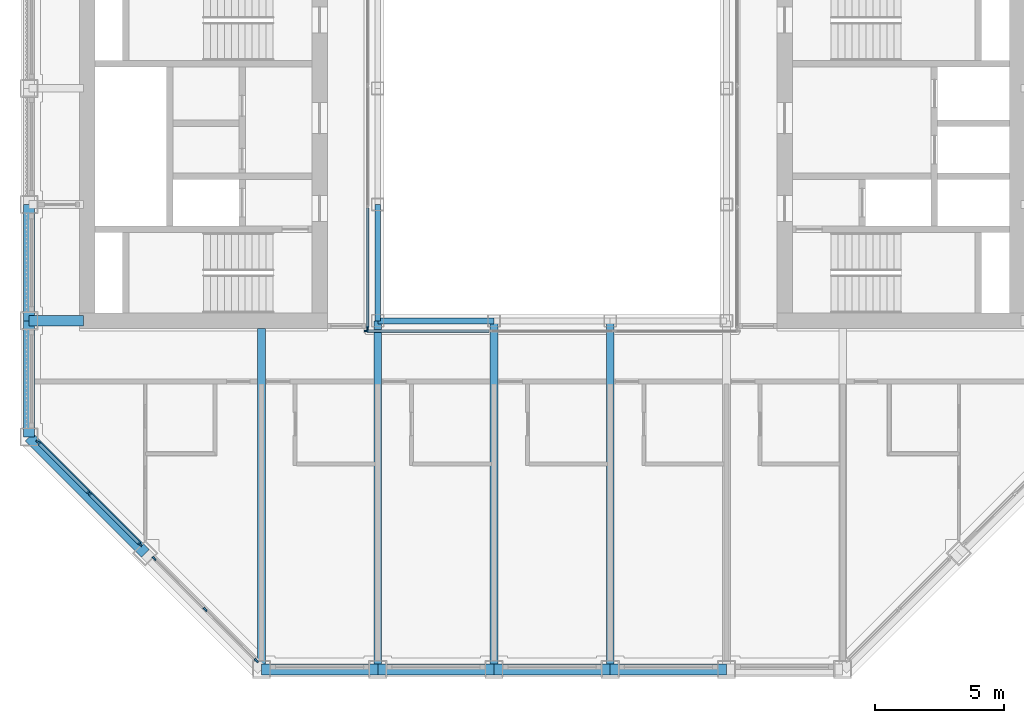
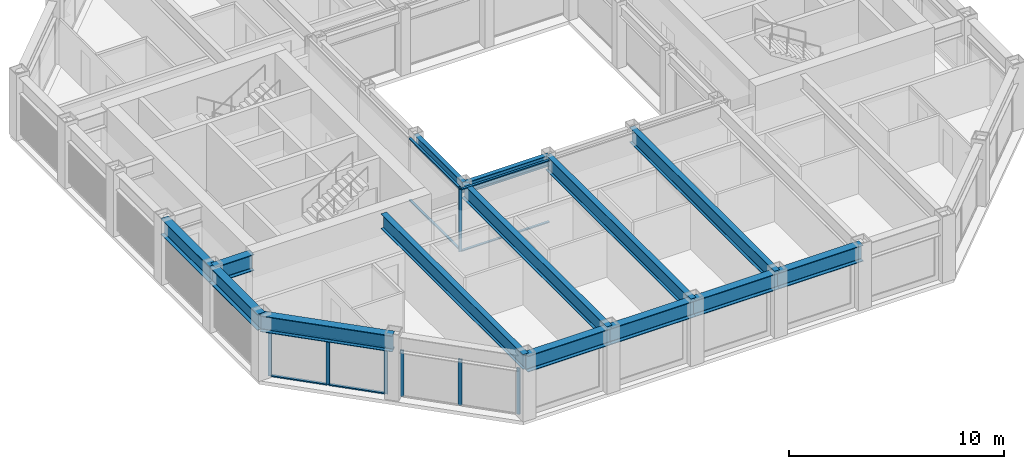
# One storey, part 2 of 18: 16 members, 14 beams, 4 elements without a shape of their own.
"""IFC4 building model written with IfcOpenShell, lengths in metres."""

from ifc_helpers import new_model, si_unit, direction, frame, origin, origin_2d, place, context, subcontext, project, spatial, rectangle, i_section, extrude, material, material_profile, profile_set, type_object, element, aggregate, save


model = new_model("IFC4")

# Units and contexts
model_context = context("Model", 3, precision=1e-05, world=origin(), true_north=direction((0.0, 1.0)))
body_context = subcontext(model_context, "Body", "Model", "MODEL_VIEW")
ifc_project = project(units=[si_unit("LENGTHUNIT", "METRE"), si_unit("AREAUNIT", "SQUARE_METRE"), si_unit("VOLUMEUNIT", "CUBIC_METRE"), si_unit("PLANEANGLEUNIT", "RADIAN"), si_unit("MASSUNIT", "GRAM", prefix="KILO")], contexts=[model_context])

# Site, building, storey
site_placement = place(None, origin())
site = spatial("IfcSite", under=ifc_project, at=site_placement, CompositionType="ELEMENT")
building_placement = place(site_placement, origin())
building = spatial("IfcBuilding", under=site, at=building_placement, Name="Msasa Ring Tower", CompositionType="ELEMENT")
storey_placement = place(building_placement, frame((0.0, 0.0, 204.550048828125)))
storey = spatial("IfcBuildingStorey", under=building, at=storey_placement, Name="L53", CompositionType="ELEMENT", Elevation=204.550048828125)

# Curtain wall, members
ifc_material_1 = material(Name="Aluminium curtain wall with clear glass", Category="aluminium")
curtain_wall_type_1 = type_object("IfcCurtainWallType", Name="CW-C CHAMFER CORNER CURTAIN WALL", PredefinedType="NOTDEFINED", material=ifc_material_1)
curtain_wall_1_placement = place(storey_placement, origin())
curtain_wall_1 = element("IfcCurtainWall", 1, at=curtain_wall_1_placement, inside=storey, type_object=curtain_wall_type_1, Name="Chamfer corner curtain wall SW L53", PredefinedType="NOTDEFINED")
ifc_material_2 = material(Name="Aluminium mullion", Category="aluminium")
ifc_material_profile_1 = material_profile(ifc_material_2, rectangle(XDim=0.06494140625, YDim=0.179931640625, at=origin_2d()), Name="AL 65x180")
ifc_profile_set_1 = profile_set([ifc_material_profile_1], Name="Aluminium mullion")
member_type_1 = type_object("IfcMemberType", Name="CW-C MULLION 65x180", PredefinedType="MULLION", material=ifc_profile_set_1)
member_1_placement = place(storey_placement, frame((-19.9052734375, -11.453369140625, 0.0), z_axis=(0.0, 0.0, 1.0), x_axis=(0.707106781187, 0.707106781187, 0.0)))
member_1 = element("IfcMember", 2, at=member_1_placement, type_object=member_type_1, Name="CW-C mullion 1", PredefinedType="MULLION", context=body_context, shape_type="SweptSolid", body=[
    extrude(rectangle(XDim=0.06494140625, YDim=0.179931640625, at=origin_2d()), origin(), (0.0, 0.0, 1.0), 2.62890625),
])
member_2_placement = place(storey_placement, frame((-17.92919921875, -13.42919921875, 0.0), z_axis=(0.0, 0.0, 1.0), x_axis=(0.707106781187, 0.707106781187, 0.0)))
member_2 = element("IfcMember", 3, at=member_2_placement, type_object=member_type_1, Name="CW-C mullion 2", PredefinedType="MULLION", context=body_context, shape_type="SweptSolid", body=[
    extrude(rectangle(XDim=0.06494140625, YDim=0.179931640625, at=origin_2d()), origin(), (0.0, 0.0, 1.0), 2.62890625),
])
member_3_placement = place(storey_placement, frame((-15.953369140625, -15.4052734375, 0.0), z_axis=(0.0, 0.0, 1.0), x_axis=(0.707106781187, 0.707106781187, 0.0)))
member_3 = element("IfcMember", 4, at=member_3_placement, type_object=member_type_1, Name="CW-C mullion 3", PredefinedType="MULLION", context=body_context, shape_type="SweptSolid", body=[
    extrude(rectangle(XDim=0.06494140625, YDim=0.179931640625, at=origin_2d()), origin(), (0.0, 0.0, 1.0), 2.62890625),
])

curtain_wall_2_placement = place(storey_placement, origin())
curtain_wall_2 = element("IfcCurtainWall", 5, at=curtain_wall_2_placement, inside=storey, type_object=curtain_wall_type_1, Name="Chamfer corner curtain wall SW L53", PredefinedType="NOTDEFINED")
member_4_placement = place(storey_placement, frame((-15.4052734375, -15.953369140625, 0.0), z_axis=(0.0, 0.0, 1.0), x_axis=(0.707106781187, 0.707106781187, 0.0)))
member_4 = element("IfcMember", 6, at=member_4_placement, type_object=member_type_1, Name="CW-C mullion 1", PredefinedType="MULLION", context=body_context, shape_type="SweptSolid", body=[
    extrude(rectangle(XDim=0.06494140625, YDim=0.179931640625, at=origin_2d()), origin(), (0.0, 0.0, 1.0), 2.62890625),
])
member_5_placement = place(storey_placement, frame((-13.42919921875, -17.92919921875, 0.0), z_axis=(0.0, 0.0, 1.0), x_axis=(0.707106781187, 0.707106781187, 0.0)))
member_5 = element("IfcMember", 7, at=member_5_placement, type_object=member_type_1, Name="CW-C mullion 2", PredefinedType="MULLION", context=body_context, shape_type="SweptSolid", body=[
    extrude(rectangle(XDim=0.06494140625, YDim=0.179931640625, at=origin_2d()), origin(), (0.0, 0.0, 1.0), 2.62890625),
])
member_6_placement = place(storey_placement, frame((-11.453369140625, -19.9052734375, 0.0), z_axis=(0.0, 0.0, 1.0), x_axis=(0.707106781187, 0.707106781187, 0.0)))
member_6 = element("IfcMember", 8, at=member_6_placement, type_object=member_type_1, Name="CW-C mullion 3", PredefinedType="MULLION", context=body_context, shape_type="SweptSolid", body=[
    extrude(rectangle(XDim=0.06494140625, YDim=0.179931640625, at=origin_2d()), origin(), (0.0, 0.0, 1.0), 2.62890625),
])
aggregate(curtain_wall_2, [member_4, member_5, member_6])

# Member
ifc_material_3 = material(Name="Aluminium transom", Category="aluminium")
ifc_material_profile_2 = material_profile(ifc_material_3, rectangle(XDim=0.139892578125, YDim=0.06494140625, at=origin_2d()), Name="AL 65x140")
ifc_profile_set_2 = profile_set([ifc_material_profile_2], Name="Aluminium transom")
member_type_2 = type_object("IfcMemberType", Name="CW-C TRANSOM 65x140", PredefinedType="USERDEFINED", material=ifc_profile_set_2)
member_7_placement = place(storey_placement, frame((-19.88232421875, -11.476318359375, 0.032470703125), z_axis=(0.707106781187, -0.707106781187, 0.0), x_axis=(0.707106781187, 0.707106781187, 0.0)))
member_7 = element("IfcMember", 9, at=member_7_placement, type_object=member_type_2, Name="CW-C transom 1.1", ObjectType="TRANSOM", PredefinedType="USERDEFINED", context=body_context, shape_type="SweptSolid", body=[
    extrude(rectangle(XDim=0.139892578125, YDim=0.06494140625, at=origin_2d()), origin(), (0.0, 0.0, 1.0), 2.729248046875),
])

member_8_placement = place(storey_placement, frame((-19.88232421875, -11.476318359375, 2.596435546875), z_axis=(0.707106781187, -0.707106781187, 0.0), x_axis=(0.707106781187, 0.707106781187, 0.0)))
member_8 = element("IfcMember", 10, at=member_8_placement, type_object=member_type_2, Name="CW-C transom 1.2", ObjectType="TRANSOM", PredefinedType="USERDEFINED", context=body_context, shape_type="SweptSolid", body=[
    extrude(rectangle(XDim=0.139892578125, YDim=0.06494140625, at=origin_2d()), origin(), (0.0, 0.0, 1.0), 2.729248046875),
])

member_9_placement = place(storey_placement, frame((-17.90625, -13.452392578125, 0.032470703125), z_axis=(0.707106781187, -0.707106781187, 0.0), x_axis=(0.707106781187, 0.707106781187, 0.0)))
member_9 = element("IfcMember", 11, at=member_9_placement, type_object=member_type_2, Name="CW-C transom 2.1", ObjectType="TRANSOM", PredefinedType="USERDEFINED", context=body_context, shape_type="SweptSolid", body=[
    extrude(rectangle(XDim=0.139892578125, YDim=0.06494140625, at=origin_2d()), origin(), (0.0, 0.0, 1.0), 2.729248046875),
])

member_10_placement = place(storey_placement, frame((-17.90625, -13.452392578125, 2.596435546875), z_axis=(0.707106781187, -0.707106781187, 0.0), x_axis=(0.707106781187, 0.707106781187, 0.0)))
member_10 = element("IfcMember", 12, at=member_10_placement, type_object=member_type_2, Name="CW-C transom 2.2", ObjectType="TRANSOM", PredefinedType="USERDEFINED", context=body_context, shape_type="SweptSolid", body=[
    extrude(rectangle(XDim=0.139892578125, YDim=0.06494140625, at=origin_2d()), origin(), (0.0, 0.0, 1.0), 2.729248046875),
])

aggregate(curtain_wall_1, [member_1, member_2, member_3, member_7, member_8, member_9, member_10])

# Curtain wall, member
ifc_material_4 = material(Name="Aluminium curtain wall with clear glass", Category="aluminium")
curtain_wall_type_2 = type_object("IfcCurtainWallType", Name="CW-W LIGHT WELL CURTAIN WALL", PredefinedType="NOTDEFINED", material=ifc_material_4)
curtain_wall_3_placement = place(storey_placement, origin())
curtain_wall_3 = element("IfcCurtainWall", 13, at=curtain_wall_3_placement, inside=storey, type_object=curtain_wall_type_2, Name="Light well curtain wall S L53", PredefinedType="NOTDEFINED")
ifc_material_5 = material(Name="Aluminium mullion", Category="aluminium")
ifc_material_profile_3 = material_profile(ifc_material_5, rectangle(XDim=0.06005859375, YDim=0.159912109375, at=origin_2d()), Name="AL 60x160")
ifc_profile_set_3 = profile_set([ifc_material_profile_3], Name="Aluminium mullion")
member_type_3 = type_object("IfcMemberType", Name="CW-W MULLION 60x160", PredefinedType="MULLION", material=ifc_profile_set_3)
member_11_placement = place(storey_placement, frame((-7.199951171875, -7.14990234375, 0.0), z_axis=(0.0, 0.0, 1.0), x_axis=(0.0, 1.0, 0.0)))
member_11 = element("IfcMember", 14, at=member_11_placement, type_object=member_type_3, Name="CW-W mullion 1", PredefinedType="MULLION", context=body_context, shape_type="SweptSolid", body=[
    extrude(rectangle(XDim=0.06005859375, YDim=0.159912109375, at=origin_2d()), origin(), (0.0, 0.0, 1.0), 3.550048828125),
])

curtain_wall_4_placement = place(storey_placement, origin())
curtain_wall_4 = element("IfcCurtainWall", 15, at=curtain_wall_4_placement, inside=storey, type_object=curtain_wall_type_2, Name="Light well curtain wall W L53", PredefinedType="NOTDEFINED")
member_12_placement = place(storey_placement, frame((-7.14990234375, -7.0400390625, 0.0), z_axis=(0.0, 0.0, 1.0), x_axis=(-1.0, 0.0, 0.0)))
member_12 = element("IfcMember", 16, at=member_12_placement, type_object=member_type_3, Name="CW-W mullion 1", PredefinedType="MULLION", context=body_context, shape_type="SweptSolid", body=[
    extrude(rectangle(XDim=0.06005859375, YDim=0.159912109375, at=origin_2d()), origin(), (0.0, 0.0, 1.0), 3.550048828125),
])

# Member
ifc_material_6 = material(Name="Aluminium transom", Category="aluminium")
ifc_material_profile_4 = material_profile(ifc_material_6, rectangle(XDim=0.1201171875, YDim=0.06005859375, at=origin_2d()), Name="AL 60x120")
ifc_profile_set_4 = profile_set([ifc_material_profile_4], Name="Aluminium transom")
member_type_4 = type_object("IfcMemberType", Name="CW-W TRANSOM 60x120", PredefinedType="USERDEFINED", material=ifc_profile_set_4)
member_13_placement = place(storey_placement, frame((-7.169921875, -7.14990234375, 0.030029296875), z_axis=(1.0, 0.0, 0.0), x_axis=(0.0, 1.0, 0.0)))
member_13 = element("IfcMember", 17, at=member_13_placement, type_object=member_type_4, Name="CW-W transom 1.1", ObjectType="TRANSOM", PredefinedType="USERDEFINED", context=body_context, shape_type="SweptSolid", body=[
    extrude(rectangle(XDim=0.1201171875, YDim=0.06005859375, at=origin_2d()), origin(), (0.0, 0.0, 1.0), 4.72998046875),
])

member_14_placement = place(storey_placement, frame((-7.169921875, -7.14990234375, 3.52001953125), z_axis=(1.0, 0.0, 0.0), x_axis=(0.0, 1.0, 0.0)))
member_14 = element("IfcMember", 18, at=member_14_placement, type_object=member_type_4, Name="CW-W transom 1.2", ObjectType="TRANSOM", PredefinedType="USERDEFINED", context=body_context, shape_type="SweptSolid", body=[
    extrude(rectangle(XDim=0.1201171875, YDim=0.06005859375, at=origin_2d()), origin(), (0.0, 0.0, 1.0), 4.72998046875),
])

aggregate(curtain_wall_3, [member_11, member_13, member_14])

member_15_placement = place(storey_placement, frame((-7.14990234375, -7.010009765625, 0.030029296875), z_axis=(0.0, 1.0, 0.0), x_axis=(-1.0, 0.0, 0.0)))
member_15 = element("IfcMember", 19, at=member_15_placement, type_object=member_type_4, Name="CW-W transom 1.1", ObjectType="TRANSOM", PredefinedType="USERDEFINED", context=body_context, shape_type="SweptSolid", body=[
    extrude(rectangle(XDim=0.1201171875, YDim=0.06005859375, at=origin_2d()), origin(), (0.0, 0.0, 1.0), 4.623291015625),
])

member_16_placement = place(storey_placement, frame((-7.14990234375, -7.010009765625, 3.52001953125), z_axis=(0.0, 1.0, 0.0), x_axis=(-1.0, 0.0, 0.0)))
member_16 = element("IfcMember", 20, at=member_16_placement, type_object=member_type_4, Name="CW-W transom 1.2", ObjectType="TRANSOM", PredefinedType="USERDEFINED", context=body_context, shape_type="SweptSolid", body=[
    extrude(rectangle(XDim=0.1201171875, YDim=0.06005859375, at=origin_2d()), origin(), (0.0, 0.0, 1.0), 4.623291015625),
])

aggregate(curtain_wall_4, [member_12, member_15, member_16])

# Beams
ifc_material_7 = material(Name="Steel S355", Category="steel")
ifc_material_profile_5 = material_profile(ifc_material_7, i_section(OverallWidth=0.293701171875, OverallDepth=0.850830078125, WebThickness=0.01611328125, FlangeThickness=0.02685546875, FilletRadius=0.017822265625, at=origin_2d()), Name="UB 838x292x226")
ifc_profile_set_5 = profile_set([ifc_material_profile_5], Name="Steel S355")
beam_type_1 = type_object("IfcBeamType", Name="FB5 UB 838x292x226", PredefinedType="BEAM", material=ifc_profile_set_5)
beam_1_placement = place(storey_placement, frame((-11.25, -20.25, 3.12451171875), z_axis=(0.0, 1.0, 0.0), x_axis=(-1.0, 0.0, 0.0)))
element("IfcBeam", 21, at=beam_1_placement, inside=storey, type_object=beam_type_1, Name="Floor beam S-11.25 under L54", PredefinedType="BEAM", context=body_context, shape_type="SweptSolid", body=[
    extrude(i_section(OverallWidth=0.293701171875, OverallDepth=0.850830078125, WebThickness=0.01611328125, FlangeThickness=0.02685546875, FilletRadius=0.017822265625, at=origin_2d()), origin(), (0.0, 0.0, 1.0), 13.199951171875),
])
for number, where, z_axis, x_axis, name in (
    (22, (-6.75, -20.25, 3.12451171875), (0.0, 1.0, 0.0), (-1.0, 0.0, 0.0), "Floor beam S-6.75 under L54"),
    (23, (-2.25, -20.25, 3.12451171875), (0.0, 1.0, 0.0), (-1.0, 0.0, 0.0), "Floor beam S-2.25 under L54"),
    (24, (2.25, -20.25, 3.12451171875), (0.0, 1.0, 0.0), (-1.0, 0.0, 0.0), "Floor beam S+2.25 under L54"),
):
    element("IfcBeam", number, at=place(storey_placement, frame(where, z_axis=z_axis, x_axis=x_axis)), inside=storey, type_object=beam_type_1, Name=name, PredefinedType="BEAM", context=body_context, shape_type="SweptSolid", body=[
        extrude(i_section(OverallWidth=0.293701171875, OverallDepth=0.850830078125, WebThickness=0.01611328125, FlangeThickness=0.02685546875, FilletRadius=0.017822265625, at=origin_2d()), origin(), (0.0, 0.0, 1.0), 13.5),
    ])
ifc_material_8 = material(Name="Steel S355", Category="steel")
ifc_material_profile_6 = material_profile(ifc_material_8, i_section(OverallWidth=0.42041015625, OverallDepth=0.9208984375, WebThickness=0.021484375, FlangeThickness=0.03662109375, FilletRadius=0.024169921875, at=origin_2d()), Name="UB 914x419x388")
ifc_profile_set_6 = profile_set([ifc_material_profile_6], Name="Steel S355")
beam_type_2 = type_object("IfcBeamType", Name="GB1 UB 914x419x388", PredefinedType="BEAM", material=ifc_profile_set_6)
beam_2_placement = place(storey_placement, frame((-18.14990234375, -6.75, 3.08935546875), z_axis=(-1.0, 0.0, 0.0), x_axis=(0.0, -1.0, 0.0)))
element("IfcBeam", 25, at=beam_2_placement, inside=storey, type_object=beam_type_2, Name="Girder W -6.75 under L54", PredefinedType="BEAM", context=body_context, shape_type="SweptSolid", body=[
    extrude(i_section(OverallWidth=0.42041015625, OverallDepth=0.9208984375, WebThickness=0.021484375, FlangeThickness=0.03662109375, FilletRadius=0.024169921875, at=origin_2d()), origin(), (0.0, 0.0, 1.0), 2.10009765625),
])
ifc_material_9 = material(Name="Steel S355", Category="steel")
ifc_material_profile_7 = material_profile(ifc_material_9, i_section(OverallWidth=0.230224609375, OverallDepth=0.6171875, WebThickness=0.01318359375, FlangeThickness=0.022216796875, FilletRadius=0.0126953125, at=origin_2d()), Name="UB 610x229x140")
ifc_profile_set_7 = profile_set([ifc_material_profile_7], Name="Steel S355")
beam_type_3 = type_object("IfcBeamType", Name="RB1 UB 610x229x140", PredefinedType="BEAM", material=ifc_profile_set_7)
for number, where, z_axis, x_axis, name in (
    (26, (-6.75, -2.25, 3.241455078125), (0.0, -1.0, 0.0), (1.0, 0.0, 0.0), "Inner ring beam IR-6.75-2.25 under L54"),
    (27, (-6.75, -6.75, 3.241455078125), (1.0, 0.0, 0.0), (0.0, 1.0, 0.0), "Inner ring beam IR-6.75-6.75 under L54"),
):
    element("IfcBeam", number, at=place(storey_placement, frame(where, z_axis=z_axis, x_axis=x_axis)), inside=storey, type_object=beam_type_3, Name=name, PredefinedType="BEAM", context=body_context, shape_type="SweptSolid", body=[
        extrude(i_section(OverallWidth=0.230224609375, OverallDepth=0.6171875, WebThickness=0.01318359375, FlangeThickness=0.022216796875, FilletRadius=0.0126953125, at=origin_2d()), origin(), (0.0, 0.0, 1.0), 4.5),
    ])
ifc_material_10 = material(Name="Steel S355", Category="steel")
ifc_material_profile_8 = material_profile(ifc_material_10, i_section(OverallWidth=0.42041015625, OverallDepth=0.9208984375, WebThickness=0.021484375, FlangeThickness=0.03662109375, FilletRadius=0.024169921875, at=origin_2d()), Name="UB 914x419x388")
ifc_profile_set_8 = profile_set([ifc_material_profile_8], Name="Steel S355")
beam_type_4 = type_object("IfcBeamType", Name="SB1 UB 914x419x388", PredefinedType="SPANDREL", material=ifc_profile_set_8)
for number, where, z_axis, x_axis, name in (
    (28, (-20.25, -2.25, 3.08935546875), (0.0, -1.0, 0.0), (1.0, 0.0, 0.0), "Spandrel W-2.25 to W-6.75 under L54"),
    (29, (-20.25, -6.75, 3.08935546875), (0.0, -1.0, 0.0), (1.0, 0.0, 0.0), "Spandrel W-6.75 to W-11.25 under L54"),
):
    element("IfcBeam", number, at=place(storey_placement, frame(where, z_axis=z_axis, x_axis=x_axis)), inside=storey, type_object=beam_type_4, Name=name, PredefinedType="SPANDREL", context=body_context, shape_type="SweptSolid", body=[
        extrude(i_section(OverallWidth=0.42041015625, OverallDepth=0.9208984375, WebThickness=0.021484375, FlangeThickness=0.03662109375, FilletRadius=0.024169921875, at=origin_2d()), origin(), (0.0, 0.0, 1.0), 4.5),
    ])
beam_3_placement = place(storey_placement, frame((-20.25, -11.25, 3.08935546875), z_axis=(0.707106781187, -0.707106781187, 0.0), x_axis=(0.707106781187, 0.707106781187, 0.0)))
element("IfcBeam", 30, at=beam_3_placement, inside=storey, type_object=beam_type_4, Name="Spandrel W-11.25 to SW under L54", PredefinedType="SPANDREL", context=body_context, shape_type="SweptSolid", body=[
    extrude(i_section(OverallWidth=0.42041015625, OverallDepth=0.9208984375, WebThickness=0.021484375, FlangeThickness=0.03662109375, FilletRadius=0.024169921875, at=origin_2d()), origin(), (0.0, 0.0, 1.0), 6.364013671875),
])
for number, where, z_axis, x_axis, name in (
    (31, (-11.25, -20.25, 3.08935546875), (1.0, 0.0, 0.0), (0.0, 1.0, 0.0), "Spandrel S-11.25 to S-6.75 under L54"),
    (32, (-6.75, -20.25, 3.08935546875), (1.0, 0.0, 0.0), (0.0, 1.0, 0.0), "Spandrel S-6.75 to S-2.25 under L54"),
    (33, (-2.25, -20.25, 3.08935546875), (1.0, 0.0, 0.0), (0.0, 1.0, 0.0), "Spandrel S-2.25 to S+2.25 under L54"),
    (34, (2.25, -20.25, 3.08935546875), (1.0, 0.0, 0.0), (0.0, 1.0, 0.0), "Spandrel S+2.25 to S+6.75 under L54"),
):
    element("IfcBeam", number, at=place(storey_placement, frame(where, z_axis=z_axis, x_axis=x_axis)), inside=storey, type_object=beam_type_4, Name=name, PredefinedType="SPANDREL", context=body_context, shape_type="SweptSolid", body=[
        extrude(i_section(OverallWidth=0.42041015625, OverallDepth=0.9208984375, WebThickness=0.021484375, FlangeThickness=0.03662109375, FilletRadius=0.024169921875, at=origin_2d()), origin(), (0.0, 0.0, 1.0), 4.5),
    ])

save(model, "model.ifc")
